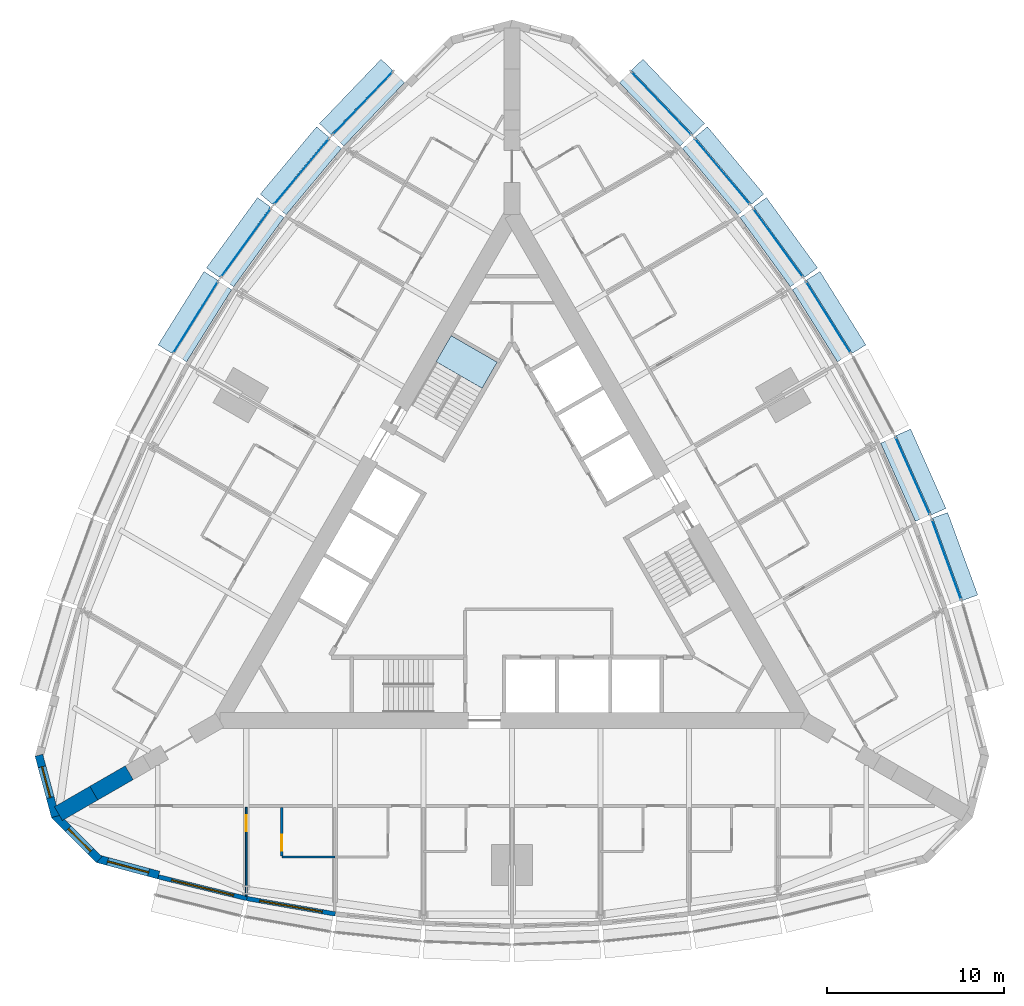
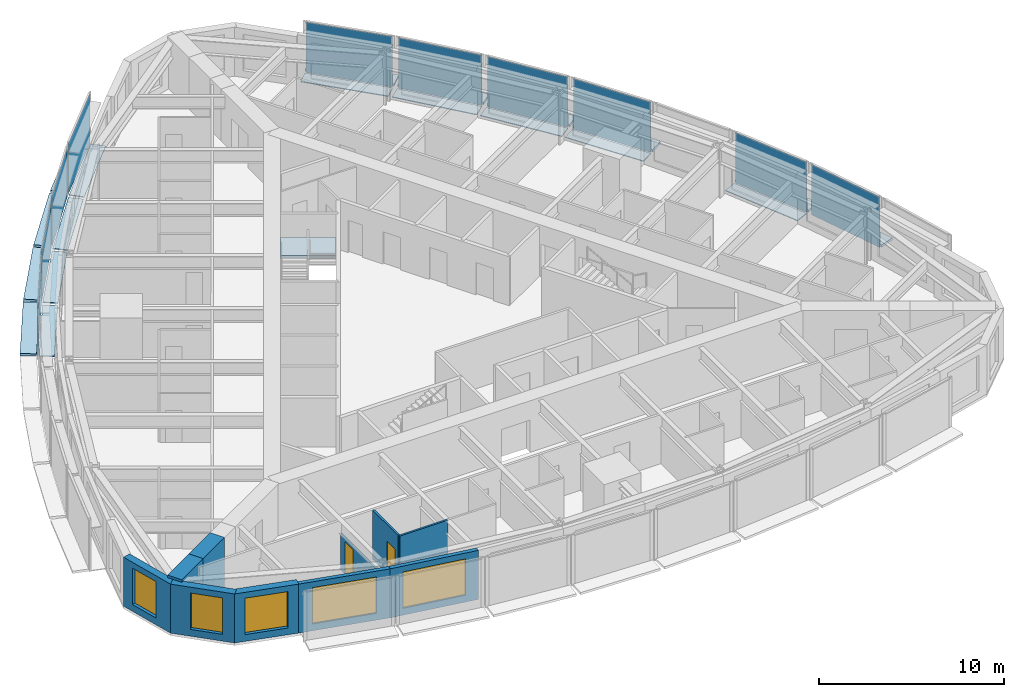
# One storey, part 7 of 14: 29 plates, 10 walls, 5 windows, 2 doors, 1 slab, 7 openings, 11 elements without a shape of their own.
"""IFC4 building model written with IfcOpenShell, lengths in metres."""

from ifc_helpers import new_model, si_unit, direction, frame, frame_2d, origin, origin_2d, place, context, subcontext, project, spatial, polyline, rectangle, outline, extrude, material, layer, layer_set, type_object, element, fill, aggregate, save


model = new_model("IFC4")

# Units and contexts
model_context = context("Model", 3, precision=1e-05, world=origin(), true_north=direction((0.0, 1.0)))
body_context = subcontext(model_context, "Body", "Model", "MODEL_VIEW")
ifc_project = project(units=[si_unit("LENGTHUNIT", "METRE"), si_unit("AREAUNIT", "SQUARE_METRE"), si_unit("VOLUMEUNIT", "CUBIC_METRE"), si_unit("PLANEANGLEUNIT", "RADIAN"), si_unit("MASSUNIT", "GRAM", prefix="KILO")], contexts=[model_context])

# Site, building, storey
site_placement = place(None, origin())
site = spatial("IfcSite", under=ifc_project, at=site_placement, CompositionType="ELEMENT")
building_placement = place(site_placement, origin())
building = spatial("IfcBuilding", under=site, at=building_placement, Name="Trikona Tower", CompositionType="ELEMENT")
storey_placement = place(building_placement, frame((0.0, 0.0, 152.10009765625)))
storey = spatial("IfcBuildingStorey", under=building, at=storey_placement, Name="L40", CompositionType="ELEMENT", Elevation=152.10009765625)

# Plates
ifc_material_1 = material(Name="Aluminium bar grating", Category="aluminium")
ifc_layer_1 = layer(ifc_material_1, 0.050048828125)
ifc_layer_set_1 = layer_set([ifc_layer_1], Name="Cavity catwalk grating")
plate_type_1 = type_object("IfcPlateType", Name="Cavity catwalk grating", PredefinedType="USERDEFINED", material=ifc_layer_set_1)
plate_1_placement = place(storey_placement, frame((22.175048828125, 4.092529296875, -0.05029296875), z_axis=(0.0, 0.0, 1.0), x_axis=(-0.406843467615, 0.913497888809, 0.0)))
element("IfcPlate", 1, at=plate_1_placement, inside=storey, type_object=plate_type_1, Name="Cavity catwalk L40-14", ObjectType="CATWALK GRATING", PredefinedType="USERDEFINED", context=body_context, shape_type="SweptSolid", body=[
    extrude(rectangle(XDim=4.827392578125, YDim=0.830078125, at=origin_2d()), origin(), (0.0, 0.0, 1.0), 0.050048828125),
])
plate_2_placement = place(storey_placement, frame((17.450927734375, 12.978759765625, -0.05029296875), z_axis=(0.0, 0.0, 1.0), x_axis=(-0.529994748414, 0.848000923734, 0.0)))
element("IfcPlate", 2, at=plate_2_placement, inside=storey, type_object=plate_type_1, Name="Cavity catwalk L40-16", ObjectType="CATWALK GRATING", PredefinedType="USERDEFINED", context=body_context, shape_type="SweptSolid", body=[
    extrude(rectangle(XDim=4.802978515625, YDim=0.830078125, at=origin_2d()), origin(), (0.0, 0.0, 1.0), 0.050048828125),
])
plate_3_placement = place(storey_placement, frame((14.6318359375, 17.157958984375, -0.05029296875), z_axis=(0.0, 0.0, 1.0), x_axis=(-0.587686407834, 0.809088799853, 0.0)))
element("IfcPlate", 3, at=plate_3_placement, inside=storey, type_object=plate_type_1, Name="Cavity catwalk L40-17", ObjectType="CATWALK GRATING", PredefinedType="USERDEFINED", context=body_context, shape_type="SweptSolid", body=[
    extrude(rectangle(XDim=4.827392578125, YDim=0.830078125, at=origin_2d()), origin(), (0.0, 0.0, 1.0), 0.050048828125),
])
plate_4_placement = place(storey_placement, frame((11.508056640625, 21.160400390625, -0.05029296875), z_axis=(0.0, 0.0, 1.0), x_axis=(-0.641807063101, 0.766866151133, 0.0)))
element("IfcPlate", 4, at=plate_4_placement, inside=storey, type_object=plate_type_1, Name="Cavity catwalk L40-18", ObjectType="CATWALK GRATING", PredefinedType="USERDEFINED", context=body_context, shape_type="SweptSolid", body=[
    extrude(rectangle(XDim=4.8759765625, YDim=0.830078125, at=origin_2d()), origin(), (0.0, 0.0, 1.0), 0.050048828125),
])
for number, where, z_axis, x_axis, name in (
    (5, (8.080078125, 24.986328125, -0.05029296875), (0.0, 0.0, 1.0), (-0.691723573819, 0.722162376078, 0.0), "Cavity catwalk L40-19"),
    (6, (-8.080078125, 24.986328125, -0.05029296875), (0.0, 0.0, 1.0), (-0.691723573819, -0.722162376078, 0.0), "Cavity catwalk L40-24"),
):
    element("IfcPlate", number, at=place(storey_placement, frame(where, z_axis=z_axis, x_axis=x_axis)), inside=storey, type_object=plate_type_1, Name=name, ObjectType="CATWALK GRATING", PredefinedType="USERDEFINED", context=body_context, shape_type="SweptSolid", body=[
        extrude(rectangle(XDim=4.947998046875, YDim=0.830078125, at=origin_2d()), origin(), (0.0, 0.0, 1.0), 0.050048828125),
    ])
plate_5_placement = place(storey_placement, frame((-11.508056640625, 21.160400390625, -0.05029296875), z_axis=(0.0, 0.0, 1.0), x_axis=(-0.641807063101, -0.766866151133, 0.0)))
element("IfcPlate", 7, at=plate_5_placement, inside=storey, type_object=plate_type_1, Name="Cavity catwalk L40-25", ObjectType="CATWALK GRATING", PredefinedType="USERDEFINED", context=body_context, shape_type="SweptSolid", body=[
    extrude(rectangle(XDim=4.8759765625, YDim=0.830078125, at=origin_2d()), origin(), (0.0, 0.0, 1.0), 0.050048828125),
])
plate_6_placement = place(storey_placement, frame((-14.6318359375, 17.157958984375, -0.05029296875), z_axis=(0.0, 0.0, 1.0), x_axis=(-0.587686407834, -0.809088799853, 0.0)))
element("IfcPlate", 8, at=plate_6_placement, inside=storey, type_object=plate_type_1, Name="Cavity catwalk L40-26", ObjectType="CATWALK GRATING", PredefinedType="USERDEFINED", context=body_context, shape_type="SweptSolid", body=[
    extrude(rectangle(XDim=4.827392578125, YDim=0.830078125, at=origin_2d()), origin(), (0.0, 0.0, 1.0), 0.050048828125),
])
plate_7_placement = place(storey_placement, frame((-17.450927734375, 12.978759765625, -0.05029296875), z_axis=(0.0, 0.0, 1.0), x_axis=(-0.529994748414, -0.848000923734, 0.0)))
element("IfcPlate", 9, at=plate_7_placement, inside=storey, type_object=plate_type_1, Name="Cavity catwalk L40-27", ObjectType="CATWALK GRATING", PredefinedType="USERDEFINED", context=body_context, shape_type="SweptSolid", body=[
    extrude(rectangle(XDim=4.802978515625, YDim=0.830078125, at=origin_2d()), origin(), (0.0, 0.0, 1.0), 0.050048828125),
])

# Curtain wall, plate
ifc_material_2 = material(Name="Aluminium curtain wall system", Category="aluminium")
curtain_wall_type = type_object("IfcCurtainWallType", Name="Curtain wall DS2", PredefinedType="NOTDEFINED", material=ifc_material_2)
curtain_wall_1_placement = place(storey_placement, origin())
curtain_wall_1 = element("IfcCurtainWall", 10, at=curtain_wall_1_placement, inside=storey, type_object=curtain_wall_type, Name="Curtain wall DS2 L40", PredefinedType="NOTDEFINED")
ifc_material_3 = material(Name="Laminated clear glass", Category="glass")
ifc_layer_2 = layer(ifc_material_3, 0.028076171875)
ifc_layer_set_2 = layer_set([ifc_layer_2], Name="Glass panel DS2")
plate_type_2 = type_object("IfcPlateType", Name="Glass panel DS2", PredefinedType="CURTAIN_PANEL", material=ifc_layer_set_2)
plate_8_placement = place(storey_placement, frame((24.53515625, -0.447509765625, 0.0), z_axis=(0.0, 0.0, 1.0), x_axis=(-0.343223420143, 0.939253790978, 0.0)))
plate_8 = element("IfcPlate", 11, at=plate_8_placement, type_object=plate_type_2, Name="CW-DS2 panel 1.1", PredefinedType="CURTAIN_PANEL", context=body_context, shape_type="SweptSolid", body=[
    extrude(rectangle(XDim=4.7958984375, YDim=0.028076171875, at=origin_2d()), origin(), (0.0, 0.0, 1.0), 3.320068359375),
])
aggregate(curtain_wall_1, [plate_8])

curtain_wall_2_placement = place(storey_placement, origin())
curtain_wall_2 = element("IfcCurtainWall", 12, at=curtain_wall_2_placement, inside=storey, type_object=curtain_wall_type, Name="Curtain wall DS2 L40", PredefinedType="NOTDEFINED")
plate_9_placement = place(storey_placement, frame((22.6181640625, 4.289794921875, 0.0), z_axis=(0.0, 0.0, 1.0), x_axis=(-0.406836013132, 0.913501208767, 0.0)))
plate_9 = element("IfcPlate", 13, at=plate_9_placement, type_object=plate_type_2, Name="CW-DS2 panel 1.1", PredefinedType="CURTAIN_PANEL", context=body_context, shape_type="SweptSolid", body=[
    extrude(rectangle(XDim=4.747314453125, YDim=0.028076171875, at=origin_2d()), origin(), (0.0, 0.0, 1.0), 3.320068359375),
])
aggregate(curtain_wall_2, [plate_9])

curtain_wall_3_placement = place(storey_placement, origin())
curtain_wall_3 = element("IfcCurtainWall", 14, at=curtain_wall_3_placement, inside=storey, type_object=curtain_wall_type, Name="Curtain wall DS2 L40", PredefinedType="NOTDEFINED")
plate_10_placement = place(storey_placement, frame((17.8623046875, 13.23583984375, 0.0), z_axis=(0.0, 0.0, 1.0), x_axis=(-0.529998940002, 0.847998304006, 0.0)))
plate_10 = element("IfcPlate", 15, at=plate_10_placement, type_object=plate_type_2, Name="CW-DS2 panel 1.1", PredefinedType="CURTAIN_PANEL", context=body_context, shape_type="SweptSolid", body=[
    extrude(rectangle(XDim=4.72314453125, YDim=0.028076171875, at=origin_2d()), origin(), (0.0, 0.0, 1.0), 3.320068359375),
])
aggregate(curtain_wall_3, [plate_10])

curtain_wall_4_placement = place(storey_placement, origin())
curtain_wall_4 = element("IfcCurtainWall", 16, at=curtain_wall_4_placement, inside=storey, type_object=curtain_wall_type, Name="Curtain wall DS2 L40", PredefinedType="NOTDEFINED")
plate_11_placement = place(storey_placement, frame((15.024169921875, 17.443115234375, 0.0), z_axis=(0.0, 0.0, 1.0), x_axis=(-0.587690588313, 0.80908576332, 0.0)))
plate_11 = element("IfcPlate", 17, at=plate_11_placement, type_object=plate_type_2, Name="CW-DS2 panel 1.1", PredefinedType="CURTAIN_PANEL", context=body_context, shape_type="SweptSolid", body=[
    extrude(rectangle(XDim=4.74755859375, YDim=0.028076171875, at=origin_2d()), origin(), (0.0, 0.0, 1.0), 3.320068359375),
])
aggregate(curtain_wall_4, [plate_11])

curtain_wall_5_placement = place(storey_placement, origin())
curtain_wall_5 = element("IfcCurtainWall", 18, at=curtain_wall_5_placement, inside=storey, type_object=curtain_wall_type, Name="Curtain wall DS2 L40", PredefinedType="NOTDEFINED")
plate_12_placement = place(storey_placement, frame((11.8798828125, 21.4716796875, 0.0), z_axis=(0.0, 0.0, 1.0), x_axis=(-0.641806433248, 0.766866678271, 0.0)))
plate_12 = element("IfcPlate", 19, at=plate_12_placement, type_object=plate_type_2, Name="CW-DS2 panel 1.1", PredefinedType="CURTAIN_PANEL", context=body_context, shape_type="SweptSolid", body=[
    extrude(rectangle(XDim=4.7958984375, YDim=0.028076171875, at=origin_2d()), origin(), (0.0, 0.0, 1.0), 3.320068359375),
])
aggregate(curtain_wall_5, [plate_12])

curtain_wall_6_placement = place(storey_placement, origin())
curtain_wall_6 = element("IfcCurtainWall", 20, at=curtain_wall_6_placement, inside=storey, type_object=curtain_wall_type, Name="Curtain wall DS2 L40", PredefinedType="NOTDEFINED")
plate_13_placement = place(storey_placement, frame((8.430419921875, 25.32177734375, 0.0), z_axis=(0.0, 0.0, 1.0), x_axis=(-0.691727797117, 0.722158330767, 0.0)))
plate_13 = element("IfcPlate", 21, at=plate_13_placement, type_object=plate_type_2, Name="CW-DS2 panel 1.1", PredefinedType="CURTAIN_PANEL", context=body_context, shape_type="SweptSolid", body=[
    extrude(rectangle(XDim=4.867919921875, YDim=0.028076171875, at=origin_2d()), origin(), (0.0, 0.0, 1.0), 3.320068359375),
])
aggregate(curtain_wall_6, [plate_13])

curtain_wall_7_placement = place(storey_placement, origin())
curtain_wall_7 = element("IfcCurtainWall", 22, at=curtain_wall_7_placement, inside=storey, type_object=curtain_wall_type, Name="Curtain wall DS2 L40", PredefinedType="NOTDEFINED")
plate_14_placement = place(storey_placement, frame((-8.430419921875, 25.32177734375, 0.0), z_axis=(0.0, 0.0, 1.0), x_axis=(-0.691727797117, -0.722158330767, 0.0)))
plate_14 = element("IfcPlate", 23, at=plate_14_placement, type_object=plate_type_2, Name="CW-DS2 panel 1.1", PredefinedType="CURTAIN_PANEL", context=body_context, shape_type="SweptSolid", body=[
    extrude(rectangle(XDim=4.867919921875, YDim=0.028076171875, at=origin_2d()), origin(), (0.0, 0.0, 1.0), 3.320068359375),
])
aggregate(curtain_wall_7, [plate_14])

curtain_wall_8_placement = place(storey_placement, origin())
curtain_wall_8 = element("IfcCurtainWall", 24, at=curtain_wall_8_placement, inside=storey, type_object=curtain_wall_type, Name="Curtain wall DS2 L40", PredefinedType="NOTDEFINED")
plate_15_placement = place(storey_placement, frame((-11.8798828125, 21.4716796875, 0.0), z_axis=(0.0, 0.0, 1.0), x_axis=(-0.641806433248, -0.766866678271, 0.0)))
plate_15 = element("IfcPlate", 25, at=plate_15_placement, type_object=plate_type_2, Name="CW-DS2 panel 1.1", PredefinedType="CURTAIN_PANEL", context=body_context, shape_type="SweptSolid", body=[
    extrude(rectangle(XDim=4.7958984375, YDim=0.028076171875, at=origin_2d()), origin(), (0.0, 0.0, 1.0), 3.320068359375),
])
aggregate(curtain_wall_8, [plate_15])

curtain_wall_9_placement = place(storey_placement, origin())
curtain_wall_9 = element("IfcCurtainWall", 26, at=curtain_wall_9_placement, inside=storey, type_object=curtain_wall_type, Name="Curtain wall DS2 L40", PredefinedType="NOTDEFINED")
plate_16_placement = place(storey_placement, frame((-15.024169921875, 17.443115234375, 0.0), z_axis=(0.0, 0.0, 1.0), x_axis=(-0.587690588313, -0.80908576332, 0.0)))
plate_16 = element("IfcPlate", 27, at=plate_16_placement, type_object=plate_type_2, Name="CW-DS2 panel 1.1", PredefinedType="CURTAIN_PANEL", context=body_context, shape_type="SweptSolid", body=[
    extrude(rectangle(XDim=4.74755859375, YDim=0.028076171875, at=origin_2d()), origin(), (0.0, 0.0, 1.0), 3.320068359375),
])
aggregate(curtain_wall_9, [plate_16])

curtain_wall_10_placement = place(storey_placement, origin())
curtain_wall_10 = element("IfcCurtainWall", 28, at=curtain_wall_10_placement, inside=storey, type_object=curtain_wall_type, Name="Curtain wall DS2 L40", PredefinedType="NOTDEFINED")
plate_17_placement = place(storey_placement, frame((-17.8623046875, 13.23583984375, 0.0), z_axis=(0.0, 0.0, 1.0), x_axis=(-0.529998940002, -0.847998304006, 0.0)))
plate_17 = element("IfcPlate", 29, at=plate_17_placement, type_object=plate_type_2, Name="CW-DS2 panel 1.1", PredefinedType="CURTAIN_PANEL", context=body_context, shape_type="SweptSolid", body=[
    extrude(rectangle(XDim=4.72314453125, YDim=0.028076171875, at=origin_2d()), origin(), (0.0, 0.0, 1.0), 3.320068359375),
])
aggregate(curtain_wall_10, [plate_17])

# Plates
ifc_material_4 = material(Name="Aluminium plate fin, pale anodised, on stainless steel outriggers", Category="steel")
ifc_layer_3 = layer(ifc_material_4, 0.14990234375)
ifc_layer_set_3 = layer_set([ifc_layer_3], Name="Outer skin fin 900")
plate_type_3 = type_object("IfcPlateType", Name="Outer skin fin 900", PredefinedType="USERDEFINED", material=ifc_layer_set_3)
plate_18_placement = place(storey_placement, frame((25.0234375, -0.26904296875, 0.0), z_axis=(0.0, 0.0, 1.0), x_axis=(-0.343220397324, 0.939254895575, 0.0)))
element("IfcPlate", 30, at=plate_18_placement, inside=storey, type_object=plate_type_3, Name="Outer skin fin L40-13", ObjectType="FIN", PredefinedType="USERDEFINED", context=body_context, shape_type="SweptSolid", body=[
    extrude(rectangle(XDim=4.9560546875, YDim=0.89990234375, at=origin_2d()), origin(), (0.0, 0.0, 1.0), 0.14990234375),
])
plate_19_placement = place(storey_placement, frame((23.09326171875, 4.50146484375, 0.0), z_axis=(0.0, 0.0, 1.0), x_axis=(-0.406843467615, 0.913497888809, 0.0)))
element("IfcPlate", 31, at=plate_19_placement, inside=storey, type_object=plate_type_3, Name="Outer skin fin L40-14", ObjectType="FIN", PredefinedType="USERDEFINED", context=body_context, shape_type="SweptSolid", body=[
    extrude(rectangle(XDim=4.907470703125, YDim=0.89990234375, at=origin_2d()), origin(), (0.0, 0.0, 1.0), 0.14990234375),
])
plate_20_placement = place(storey_placement, frame((18.30322265625, 13.511474609375, 0.0), z_axis=(0.0, 0.0, 1.0), x_axis=(-0.529994748414, 0.848000923734, 0.0)))
element("IfcPlate", 32, at=plate_20_placement, inside=storey, type_object=plate_type_3, Name="Outer skin fin L40-16", ObjectType="FIN", PredefinedType="USERDEFINED", context=body_context, shape_type="SweptSolid", body=[
    extrude(rectangle(XDim=4.883056640625, YDim=0.89990234375, at=origin_2d()), origin(), (0.0, 0.0, 1.0), 0.14990234375),
])
plate_21_placement = place(storey_placement, frame((15.44482421875, 17.74853515625, 0.0), z_axis=(0.0, 0.0, 1.0), x_axis=(-0.587686407834, 0.809088799853, 0.0)))
element("IfcPlate", 33, at=plate_21_placement, inside=storey, type_object=plate_type_3, Name="Outer skin fin L40-17", ObjectType="FIN", PredefinedType="USERDEFINED", context=body_context, shape_type="SweptSolid", body=[
    extrude(rectangle(XDim=4.907470703125, YDim=0.89990234375, at=origin_2d()), origin(), (0.0, 0.0, 1.0), 0.14990234375),
])
plate_22_placement = place(storey_placement, frame((12.27880859375, 21.8056640625, 0.0), z_axis=(0.0, 0.0, 1.0), x_axis=(-0.641807063101, 0.766866151133, 0.0)))
element("IfcPlate", 34, at=plate_22_placement, inside=storey, type_object=plate_type_3, Name="Outer skin fin L40-18", ObjectType="FIN", PredefinedType="USERDEFINED", context=body_context, shape_type="SweptSolid", body=[
    extrude(rectangle(XDim=4.9560546875, YDim=0.89990234375, at=origin_2d()), origin(), (0.0, 0.0, 1.0), 0.14990234375),
])
for number, where, z_axis, x_axis, name in (
    (35, (8.805908203125, 25.681396484375, 0.0), (0.0, 0.0, 1.0), (-0.691723573819, 0.722162376078, 0.0), "Outer skin fin L40-19"),
    (36, (-8.805908203125, 25.681396484375, 0.0), (0.0, 0.0, 1.0), (-0.691723573819, -0.722162376078, 0.0), "Outer skin fin L40-24"),
):
    element("IfcPlate", number, at=place(storey_placement, frame(where, z_axis=z_axis, x_axis=x_axis)), inside=storey, type_object=plate_type_3, Name=name, ObjectType="FIN", PredefinedType="USERDEFINED", context=body_context, shape_type="SweptSolid", body=[
        extrude(rectangle(XDim=5.02783203125, YDim=0.89990234375, at=origin_2d()), origin(), (0.0, 0.0, 1.0), 0.14990234375),
    ])
plate_23_placement = place(storey_placement, frame((-12.27880859375, 21.8056640625, 0.0), z_axis=(0.0, 0.0, 1.0), x_axis=(-0.641807063101, -0.766866151133, 0.0)))
element("IfcPlate", 37, at=plate_23_placement, inside=storey, type_object=plate_type_3, Name="Outer skin fin L40-25", ObjectType="FIN", PredefinedType="USERDEFINED", context=body_context, shape_type="SweptSolid", body=[
    extrude(rectangle(XDim=4.9560546875, YDim=0.89990234375, at=origin_2d()), origin(), (0.0, 0.0, 1.0), 0.14990234375),
])
plate_24_placement = place(storey_placement, frame((-15.44482421875, 17.74853515625, 0.0), z_axis=(0.0, 0.0, 1.0), x_axis=(-0.587686407834, -0.809088799853, 0.0)))
element("IfcPlate", 38, at=plate_24_placement, inside=storey, type_object=plate_type_3, Name="Outer skin fin L40-26", ObjectType="FIN", PredefinedType="USERDEFINED", context=body_context, shape_type="SweptSolid", body=[
    extrude(rectangle(XDim=4.907470703125, YDim=0.89990234375, at=origin_2d()), origin(), (0.0, 0.0, 1.0), 0.14990234375),
])
plate_25_placement = place(storey_placement, frame((-18.30322265625, 13.511474609375, 0.0), z_axis=(0.0, 0.0, 1.0), x_axis=(-0.529994748414, -0.848000923734, 0.0)))
element("IfcPlate", 39, at=plate_25_placement, inside=storey, type_object=plate_type_3, Name="Outer skin fin L40-27", ObjectType="FIN", PredefinedType="USERDEFINED", context=body_context, shape_type="SweptSolid", body=[
    extrude(rectangle(XDim=4.883056640625, YDim=0.89990234375, at=origin_2d()), origin(), (0.0, 0.0, 1.0), 0.14990234375),
])

# Stair, slab
ifc_material_5 = material(Name="Concrete f'c 5000 psi", Category="concrete")
stair_type = type_object("IfcStairType", Name="Core stair", PredefinedType="HALF_TURN_STAIR", material=ifc_material_5)
stair_placement = place(storey_placement, origin())
stair = element("IfcStair", 40, at=stair_placement, inside=storey, type_object=stair_type, Name="Stair C L40", PredefinedType="HALF_TURN_STAIR")
ifc_material_6 = material(Name="Concrete f'c 5000 psi", Category="concrete")
ifc_layer_4 = layer(ifc_material_6, 0.199951171875)
ifc_layer_set_4 = layer_set([ifc_layer_4], Name="Stair landing 200")
slab_type = type_object("IfcSlabType", Name="Stair landing 200", PredefinedType="LANDING", material=ifc_layer_set_4)
slab_placement = place(storey_placement, frame((0.0, 0.0, 1.5)))
slab = element("IfcSlab", 41, at=slab_placement, type_object=slab_type, Name="ST-C landing 2", PredefinedType="LANDING", context=body_context, shape_type="SweptSolid", body=[
    extrude(outline(polyline([(-0.837158203125, 10.702392578125), (-1.688720703125, 9.2275390625), (-4.286865234375, 10.7275390625), (-3.435302734375, 12.202392578125), (-0.837158203125, 10.702392578125)])), origin(), (0.0, 0.0, 1.0), 0.199951171875),
])
aggregate(stair, [slab])

# Wall
ifc_material_7 = material(Name="Metal stud and cement board", Category="gypsum")
ifc_layer_5 = layer(ifc_material_7, 0.1201171875)
ifc_layer_set_5 = layer_set([ifc_layer_5], Name="Bathroom wall 120")
wall_type_1 = type_object("IfcWallType", Name="Bathroom wall 120", PredefinedType="PLUMBINGWALL", material=ifc_layer_set_5)
wall_1_placement = place(storey_placement, frame((-13.0, -17.226318359375, 0.0), z_axis=(0.0, 0.0, 1.0), x_axis=(1.0, 0.0, 0.0)))
element("IfcWall", 42, at=wall_1_placement, inside=storey, type_object=wall_type_1, Name="Bathroom wall 4001.1", PredefinedType="PLUMBINGWALL", context=body_context, shape_type="SweptSolid", body=[
    extrude(rectangle(XDim=3.0, YDim=0.1201171875, at=frame_2d((1.5, 0.0))), origin(), (0.0, 0.0, 1.0), 3.23486328125),
])

# Wall, opening, door
wall_2_placement = place(storey_placement, frame((-13.0, -14.42626953125, 0.0), z_axis=(0.0, 0.0, 1.0), x_axis=(0.0, -1.0, 0.0)))
wall_2 = element("IfcWall", 43, at=wall_2_placement, inside=storey, type_object=wall_type_1, Name="Bathroom wall 4001.1", PredefinedType="PLUMBINGWALL", context=body_context, shape_type="SweptSolid", body=[
    extrude(rectangle(XDim=2.739990234375, YDim=0.1201171875, at=frame_2d((1.3701171875, 0.0))), origin(), (0.0, 0.0, 1.0), 3.23486328125),
])
opening_1_placement = place(wall_2_placement, frame((1.550048828125, 0.0, 0.0)))
opening_1 = element("IfcOpeningElement", 44, at=opening_1_placement, cuts=wall_2, Name="Opening D2", PredefinedType="OPENING", context=body_context, shape_type="SweptSolid", body=[
    extrude(rectangle(XDim=0.89990234375, YDim=2.1298828125, at=frame_2d((0.449951171875, 1.06494140625))), frame((0.0, 0.070068359375, 0.0), z_axis=(0.0, -1.0, 0.0), x_axis=(1.0, 0.0, 0.0)), (0.0, 0.0, 1.0), 0.14013671875),
])
ifc_material_8 = material(Name="Steel door frame with solid-core timber leaf", Category="steel")
door_type_1 = type_object("IfcDoorType", Name="Bathroom door 900x2130", OperationType="SLIDING_TO_LEFT", PredefinedType="DOOR", material=ifc_material_8)
door_1_placement = place(opening_1_placement, origin())
door_1 = element("IfcDoor", 45, at=door_1_placement, inside=storey, type_object=door_type_1, Name="Bathroom door 4001.1", OperationType="SLIDING_TO_LEFT", OverallHeight=2.1298828125, OverallWidth=0.89990234375, PredefinedType="DOOR", context=body_context, shape_type="SweptSolid", body=[
    extrude(rectangle(XDim=0.89990234375, YDim=2.1298828125, at=frame_2d((0.449951171875, 1.06494140625))), frame((0.0, 0.02490234375, 0.0), z_axis=(0.0, -1.0, 0.0), x_axis=(1.0, 0.0, 0.0)), (0.0, 0.0, 1.0), 0.050048828125),
])
fill(opening_1, door_1)

# Wall, opening, window
ifc_material_9 = material(Name="Brick-faced precast concrete", Category="masonry")
ifc_layer_6 = layer(ifc_material_9, 0.449951171875)
ifc_layer_set_6 = layer_set([ifc_layer_6], Name="Brick-faced corner wall 450")
wall_type_2 = type_object("IfcWallType", Name="Brick-faced corner wall 450", PredefinedType="SOLIDWALL", material=ifc_layer_set_6)
wall_3_placement = place(storey_placement, frame((-26.7109375, -11.48876953125, 0.0), z_axis=(0.0, 0.0, 1.0), x_axis=(0.258823421857, -0.965924653531, 0.0)))
wall_3 = element("IfcWall", 46, at=wall_3_placement, inside=storey, type_object=wall_type_2, Name="External wall L40-33", PredefinedType="SOLIDWALL", context=body_context, shape_type="SweptSolid", body=[
    extrude(outline(polyline([(3.58642578125, 0.22509765625), (3.52685546875, 0.22509765625), (3.03515625, 0.09326171875), (3.0, 0.22509765625), (0.0, 0.22509765625), (0.0, -0.22509765625), (3.58642578125, -0.22509765625), (3.58642578125, 0.22509765625)])), origin(), (0.0, 0.0, 1.0), 3.23486328125),
])
opening_2_placement = place(wall_3_placement, frame((0.6748046875, 0.0, 0.449951171875)))
opening_2 = element("IfcOpeningElement", 47, at=opening_2_placement, cuts=wall_3, Name="Opening W1824", PredefinedType="OPENING", context=body_context, shape_type="SweptSolid", body=[
    extrude(rectangle(XDim=1.800048828125, YDim=2.39990234375, at=frame_2d((0.89990234375, 1.199951171875))), frame((0.0, 0.23486328125, 0.0), z_axis=(0.0, -1.0, 0.0), x_axis=(1.0, 0.0, 0.0)), (0.0, 0.0, 1.0), 0.469970703125),
])
ifc_material_10 = material(Name="Aluminium-framed double glazing", Category="aluminium")
window_type_1 = type_object("IfcWindowType", Name="Window 1800x2400", PartitioningType="SINGLE_PANEL", PredefinedType="WINDOW", material=ifc_material_10)
window_1_placement = place(opening_2_placement, origin())
window_1 = element("IfcWindow", 48, at=window_1_placement, inside=storey, type_object=window_type_1, Name="Window 4017", OverallHeight=2.39990234375, OverallWidth=1.800048828125, PartitioningType="SINGLE_PANEL", PredefinedType="WINDOW", context=body_context, shape_type="SweptSolid", body=[
    extrude(rectangle(XDim=1.800048828125, YDim=2.39990234375, at=frame_2d((0.89990234375, 1.199951171875))), frame((0.0, 0.030029296875, 0.0), z_axis=(0.0, -1.0, 0.0), x_axis=(1.0, 0.0, 0.0)), (0.0, 0.0, 1.0), 0.06005859375),
])
fill(opening_2, window_1)

wall_4_placement = place(storey_placement, frame((-25.8408203125, -14.85205078125, 0.0), z_axis=(0.0, 0.0, 1.0), x_axis=(0.707106781187, -0.707106781187, 0.0)))
wall_4 = element("IfcWall", 49, at=wall_4_placement, inside=storey, type_object=wall_type_2, Name="External wall L40-34", PredefinedType="SOLIDWALL", context=body_context, shape_type="SweptSolid", body=[
    extrude(outline(polyline([(3.586181640625, 0.22509765625), (0.58642578125, 0.22509765625), (0.551025390625, 0.09326171875), (0.05908203125, 0.22509765625), (0.0, 0.22509765625), (0.0, -0.22509765625), (3.586181640625, -0.22509765625), (3.586181640625, 0.22509765625)])), origin(), (0.0, 0.0, 1.0), 3.23486328125),
])
opening_3_placement = place(wall_4_placement, frame((1.111328125, 0.0, 0.449951171875)))
opening_3 = element("IfcOpeningElement", 50, at=opening_3_placement, cuts=wall_4, Name="Opening W1824", PredefinedType="OPENING", context=body_context, shape_type="SweptSolid", body=[
    extrude(rectangle(XDim=1.800048828125, YDim=2.39990234375, at=frame_2d((0.89990234375, 1.199951171875))), frame((0.0, 0.23486328125, 0.0), z_axis=(0.0, -1.0, 0.0), x_axis=(1.0, 0.0, 0.0)), (0.0, 0.0, 1.0), 0.469970703125),
])
window_2_placement = place(opening_3_placement, origin())
window_2 = element("IfcWindow", 51, at=window_2_placement, inside=storey, type_object=window_type_1, Name="Window 4001", OverallHeight=2.39990234375, OverallWidth=1.800048828125, PartitioningType="SINGLE_PANEL", PredefinedType="WINDOW", context=body_context, shape_type="SweptSolid", body=[
    extrude(rectangle(XDim=1.800048828125, YDim=2.39990234375, at=frame_2d((0.89990234375, 1.199951171875))), frame((0.0, 0.030029296875, 0.0), z_axis=(0.0, -1.0, 0.0), x_axis=(1.0, 0.0, 0.0)), (0.0, 0.0, 1.0), 0.06005859375),
])
fill(opening_3, window_2)

wall_5_placement = place(storey_placement, frame((-23.406005859375, -17.32958984375, 0.0), z_axis=(0.0, 0.0, 1.0), x_axis=(0.965924653531, -0.258823421857, 0.0)))
wall_5 = element("IfcWall", 52, at=wall_5_placement, inside=storey, type_object=wall_type_2, Name="External wall L40-35", PredefinedType="SOLIDWALL", context=body_context, shape_type="SweptSolid", body=[
    extrude(rectangle(XDim=3.58642578125, YDim=0.449951171875, at=frame_2d((1.793212890625, 0.0))), origin(), (0.0, 0.0, 1.0), 3.23486328125),
])
opening_4_placement = place(wall_5_placement, frame((0.593017578125, 0.0, 0.449951171875)))
opening_4 = element("IfcOpeningElement", 53, at=opening_4_placement, cuts=wall_5, Name="Opening W2424", PredefinedType="OPENING", context=body_context, shape_type="SweptSolid", body=[
    extrude(rectangle(XDim=2.39990234375, YDim=2.39990234375, at=frame_2d((1.199951171875, 1.199951171875))), frame((0.0, 0.23486328125, 0.0), z_axis=(0.0, -1.0, 0.0), x_axis=(1.0, 0.0, 0.0)), (0.0, 0.0, 1.0), 0.469970703125),
])
ifc_material_11 = material(Name="Aluminium-framed double glazing", Category="aluminium")
window_type_2 = type_object("IfcWindowType", Name="Window 2400x2400", PartitioningType="SINGLE_PANEL", PredefinedType="WINDOW", material=ifc_material_11)
window_3_placement = place(opening_4_placement, origin())
window_3 = element("IfcWindow", 54, at=window_3_placement, inside=storey, type_object=window_type_2, Name="Window 4001", OverallHeight=2.39990234375, OverallWidth=2.39990234375, PartitioningType="SINGLE_PANEL", PredefinedType="WINDOW", context=body_context, shape_type="SweptSolid", body=[
    extrude(rectangle(XDim=2.39990234375, YDim=2.39990234375, at=frame_2d((1.199951171875, 1.199951171875))), frame((0.0, 0.030029296875, 0.0), z_axis=(0.0, -1.0, 0.0), x_axis=(1.0, 0.0, 0.0)), (0.0, 0.0, 1.0), 0.06005859375),
])
fill(opening_4, window_3)

# Walls
ifc_material_12 = material(Name="Concrete f'c 10000 psi", Category="concrete")
ifc_layer_7 = layer(ifc_material_12, 0.89990234375)
ifc_layer_set_7 = layer_set([ifc_layer_7], Name="Buttress wall 900")
wall_type_3 = type_object("IfcWallType", Name="Buttress wall 900", PredefinedType="SHEAR", material=ifc_layer_set_7)
for number, where, z_axis, x_axis, name in (
    (55, (-21.6103515625, -12.476806640625, 0.0), (0.0, 0.0, 1.0), (-0.866055313784, -0.499948190782, 0.0), "Buttress wall 3 part 3"),
    (56, (-23.6103515625, -13.63134765625, 0.0), (0.0, 0.0, 1.0), (-0.866009537788, -0.500027479704, 0.0), "Buttress wall 3 part 4"),
):
    element("IfcWall", number, at=place(storey_placement, frame(where, z_axis=z_axis, x_axis=x_axis)), inside=storey, type_object=wall_type_3, Name=name, PredefinedType="SHEAR", context=body_context, shape_type="SweptSolid", body=[
        extrude(rectangle(XDim=2.309326171875, YDim=0.89990234375, at=frame_2d((1.15478515625, 0.0))), origin(), (0.0, 0.0, 1.0), 3.39990234375),
    ])

# Wall, opening, window
ifc_material_13 = material(Name="Insulated precast concrete spandrel panel", Category="concrete")
ifc_layer_8 = layer(ifc_material_13, 0.25)
ifc_layer_set_8 = layer_set([ifc_layer_8], Name="Inner skin wall 250")
wall_type_4 = type_object("IfcWallType", Name="Inner skin wall 250", PredefinedType="STANDARD", material=ifc_layer_set_8)
wall_6_placement = place(storey_placement, frame((-19.97021484375, -18.353759765625, 0.0), z_axis=(0.0, 0.0, 1.0), x_axis=(0.971270024053, -0.237980126011, 0.0)))
wall_6 = element("IfcWall", 57, at=wall_6_placement, inside=storey, type_object=wall_type_4, Name="External wall L40-00", PredefinedType="STANDARD", context=body_context, shape_type="SweptSolid", body=[
    extrude(rectangle(XDim=5.14794921875, YDim=0.25, at=frame_2d((2.573974609375, 0.0))), origin(), (0.0, 0.0, 1.0), 3.23486328125),
])
opening_5_placement = place(wall_6_placement, frame((0.77392578125, 0.0, 0.449951171875)))
opening_5 = element("IfcOpeningElement", 58, at=opening_5_placement, cuts=wall_6, Name="Opening W3624", PredefinedType="OPENING", context=body_context, shape_type="SweptSolid", body=[
    extrude(rectangle(XDim=3.60009765625, YDim=2.39990234375, at=frame_2d((1.800048828125, 1.199951171875))), frame((0.0, 0.135009765625, 0.0), z_axis=(0.0, -1.0, 0.0), x_axis=(1.0, 0.0, 0.0)), (0.0, 0.0, 1.0), 0.27001953125),
])
ifc_material_14 = material(Name="Aluminium-framed double glazing", Category="aluminium")
window_type_3 = type_object("IfcWindowType", Name="Window 3600x2400", PartitioningType="SINGLE_PANEL", PredefinedType="WINDOW", material=ifc_material_14)
window_4_placement = place(opening_5_placement, origin())
window_4 = element("IfcWindow", 59, at=window_4_placement, inside=storey, type_object=window_type_3, Name="Window 4001", OverallHeight=2.39990234375, OverallWidth=3.60009765625, PartitioningType="SINGLE_PANEL", PredefinedType="WINDOW", context=body_context, shape_type="SweptSolid", body=[
    extrude(rectangle(XDim=3.60009765625, YDim=2.39990234375, at=frame_2d((1.800048828125, 1.199951171875))), frame((0.0, 0.030029296875, 0.0), z_axis=(0.0, -1.0, 0.0), x_axis=(1.0, 0.0, 0.0)), (0.0, 0.0, 1.0), 0.06005859375),
])
fill(opening_5, window_4)

wall_7_placement = place(storey_placement, frame((-14.978515625, -19.5771484375, 0.0), z_axis=(0.0, 0.0, 1.0), x_axis=(0.985030467156, -0.172380331752, 0.0)))
wall_7 = element("IfcWall", 60, at=wall_7_placement, inside=storey, type_object=wall_type_4, Name="External wall L40-01", PredefinedType="STANDARD", context=body_context, shape_type="SweptSolid", body=[
    extrude(rectangle(XDim=5.075927734375, YDim=0.25, at=frame_2d((2.5380859375, 0.0))), origin(), (0.0, 0.0, 1.0), 3.23486328125),
])
opening_6_placement = place(wall_7_placement, frame((0.738037109375, 0.0, 0.449951171875)))
opening_6 = element("IfcOpeningElement", 61, at=opening_6_placement, cuts=wall_7, Name="Opening W3624", PredefinedType="OPENING", context=body_context, shape_type="SweptSolid", body=[
    extrude(rectangle(XDim=3.60009765625, YDim=2.39990234375, at=frame_2d((1.800048828125, 1.199951171875))), frame((0.0, 0.135009765625, 0.0), z_axis=(0.0, -1.0, 0.0), x_axis=(1.0, 0.0, 0.0)), (0.0, 0.0, 1.0), 0.27001953125),
])
window_5_placement = place(opening_6_placement, origin())
window_5 = element("IfcWindow", 62, at=window_5_placement, inside=storey, type_object=window_type_3, Name="Window 4001.1", OverallHeight=2.39990234375, OverallWidth=3.60009765625, PartitioningType="SINGLE_PANEL", PredefinedType="WINDOW", context=body_context, shape_type="SweptSolid", body=[
    extrude(rectangle(XDim=3.60009765625, YDim=2.39990234375, at=frame_2d((1.800048828125, 1.199951171875))), frame((0.0, 0.030029296875, 0.0), z_axis=(0.0, -1.0, 0.0), x_axis=(1.0, 0.0, 0.0)), (0.0, 0.0, 1.0), 0.06005859375),
])
fill(opening_6, window_5)

# Wall, opening, door
ifc_material_15 = material(Name="Metal stud and gypsum board, acoustic", Category="gypsum")
ifc_layer_9 = layer(ifc_material_15, 0.10009765625)
ifc_layer_set_9 = layer_set([ifc_layer_9], Name="Suite partition 100")
wall_type_5 = type_object("IfcWallType", Name="Suite partition 100", PredefinedType="PARTITIONING", material=ifc_layer_set_9)
wall_8_placement = place(storey_placement, frame((-15.0, -14.42626953125, 0.0), z_axis=(0.0, 0.0, 1.0), x_axis=(0.0, -1.0, 0.0)))
wall_8 = element("IfcWall", 63, at=wall_8_placement, inside=storey, type_object=wall_type_5, Name="Suite partition L40 F1 u-15", PredefinedType="PARTITIONING", context=body_context, shape_type="SweptSolid", body=[
    extrude(rectangle(XDim=5.0166015625, YDim=0.10009765625, at=frame_2d((2.50830078125, 0.0))), origin(), (0.0, 0.0, 1.0), 2.38916015625),
])
opening_7_placement = place(wall_8_placement, frame((0.449951171875, 0.0, 0.0)))
opening_7 = element("IfcOpeningElement", 64, at=opening_7_placement, cuts=wall_8, Name="Opening D13", PredefinedType="OPENING", context=body_context, shape_type="SweptSolid", body=[
    extrude(rectangle(XDim=0.89990234375, YDim=2.1298828125, at=frame_2d((0.449951171875, 1.06494140625))), frame((0.0, 0.06005859375, 0.0), z_axis=(0.0, -1.0, 0.0), x_axis=(1.0, 0.0, 0.0)), (0.0, 0.0, 1.0), 0.1201171875),
])
ifc_material_16 = material(Name="Steel door frame with solid-core timber leaf", Category="steel")
door_type_2 = type_object("IfcDoorType", Name="Suite door 900x2130", OperationType="SINGLE_SWING_LEFT", PredefinedType="DOOR", material=ifc_material_16)
door_2_placement = place(opening_7_placement, origin())
door_2 = element("IfcDoor", 65, at=door_2_placement, inside=storey, type_object=door_type_2, Name="Suite door 4001", OperationType="SINGLE_SWING_LEFT", OverallHeight=2.1298828125, OverallWidth=0.89990234375, PredefinedType="DOOR", context=body_context, shape_type="SweptSolid", body=[
    extrude(rectangle(XDim=0.89990234375, YDim=2.1298828125, at=frame_2d((0.449951171875, 1.06494140625))), frame((0.0, 0.02490234375, 0.0), z_axis=(0.0, -1.0, 0.0), x_axis=(1.0, 0.0, 0.0)), (0.0, 0.0, 1.0), 0.050048828125),
])
fill(opening_7, door_2)

save(model, "model.ifc")
